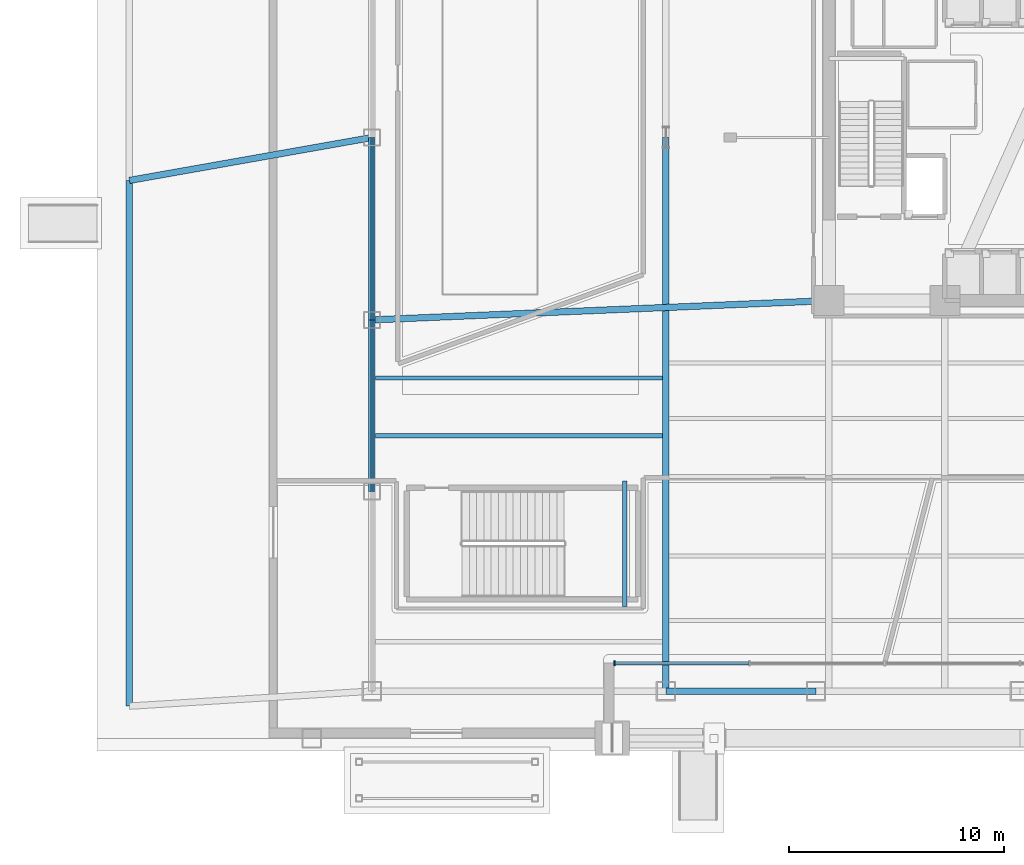
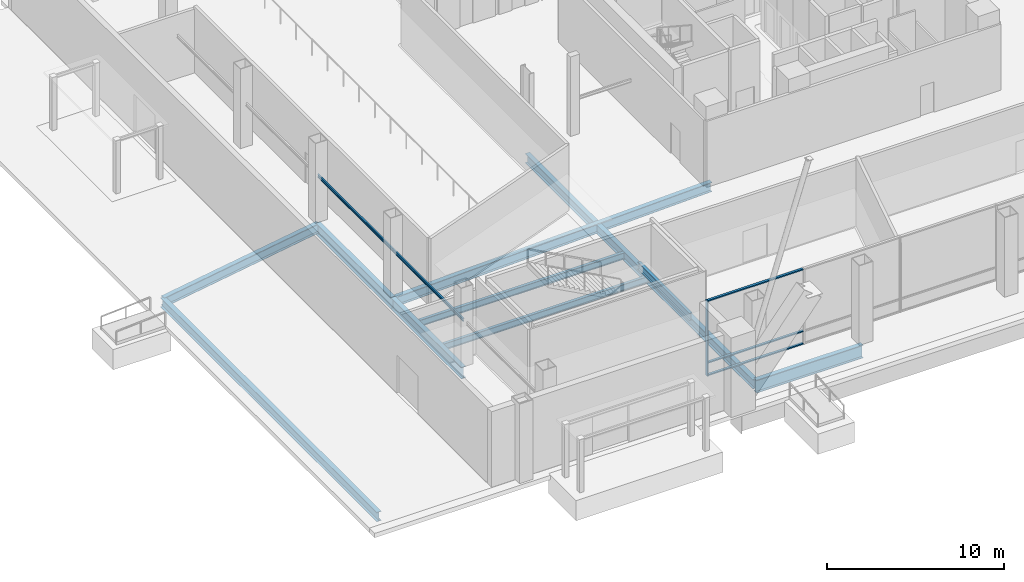
# One storey, part 8 of 27: 10 beams, 6 members, 1 element without a shape of its own.
"""IFC4 building model written with IfcOpenShell, lengths in metres."""

from ifc_helpers import new_model, si_unit, direction, frame, origin, origin_2d, place, context, subcontext, project, spatial, rectangle, i_section, extrude, material, layer, layer_set, material_profile, profile_set, type_object, element, aggregate, save


model = new_model("IFC4")

# Units and contexts
model_context = context("Model", 3, precision=1e-05, world=origin(), true_north=direction((0.0, 1.0)))
body_context = subcontext(model_context, "Body", "Model", "MODEL_VIEW")
ifc_project = project(units=[si_unit("LENGTHUNIT", "METRE"), si_unit("AREAUNIT", "SQUARE_METRE"), si_unit("VOLUMEUNIT", "CUBIC_METRE"), si_unit("PLANEANGLEUNIT", "RADIAN"), si_unit("MASSUNIT", "GRAM", prefix="KILO")], contexts=[model_context])

# Site, building, storey
site_placement = place(None, origin())
site = spatial("IfcSite", under=ifc_project, at=site_placement, CompositionType="ELEMENT")
building_placement = place(site_placement, origin())
building = spatial("IfcBuilding", under=site, at=building_placement, Name="Tharavind Bronze Gate", CompositionType="ELEMENT")
storey_placement = place(building_placement, origin())
storey = spatial("IfcBuildingStorey", under=building, at=storey_placement, Name="L00", CompositionType="ELEMENT", Elevation=0.0)

# Curtain wall, members
ifc_material_1 = material(Name="Anodised Bronze Aluminium", Category="aluminium")
ifc_layer = layer(ifc_material_1, 0.219970703125)
ifc_layer_set = layer_set([ifc_layer], Name="Anodised Bronze Aluminium")
curtain_wall_type = type_object("IfcCurtainWallType", Name="UNITISED CURTAIN WALL PODIUM", PredefinedType="USERDEFINED", material=ifc_layer_set)
curtain_wall_placement = place(storey_placement, origin())
curtain_wall = element("IfcCurtainWall", 1, at=curtain_wall_placement, inside=storey, type_object=curtain_wall_type, Name="L00 unitised curtain wall podium CW-L00-ARCH", ObjectType="UNITISED CURTAIN WALL", PredefinedType="USERDEFINED")
member_type_1 = type_object("IfcMemberType", Name="CURTAIN WALL MULLION 80X220", PredefinedType="MULLION", material=ifc_material_1)
member_1_placement = place(storey_placement, frame((-18.89990234375, -24.5, 0.0), z_axis=(0.0, 0.0, 1.0), x_axis=(1.0, 0.0, 0.0)))
member_1 = element("IfcMember", 2, at=member_1_placement, type_object=member_type_1, Name="CW-L00-ARCH mullion 1", PredefinedType="MULLION", context=body_context, shape_type="SweptSolid", body=[
    extrude(rectangle(XDim=0.080078125, YDim=0.219970703125, at=origin_2d()), origin(), (0.0, 0.0, 1.0), 5.219970703125),
])
member_type_2 = type_object("IfcMemberType", Name="CURTAIN WALL TRANSOM 80X160", PredefinedType="USERDEFINED", material=ifc_material_1)
member_2_placement = place(storey_placement, frame((-15.75, -24.5, 0.0), z_axis=(0.0, 0.0, 1.0), x_axis=(1.0, 0.0, 0.0)))
member_2 = element("IfcMember", 3, at=member_2_placement, type_object=member_type_2, Name="CW-L00-ARCH transom TB1", ObjectType="TRANSOM", PredefinedType="USERDEFINED", context=body_context, shape_type="SweptSolid", body=[
    extrude(rectangle(XDim=6.23193359375, YDim=0.159912109375, at=origin_2d()), origin(), (0.0, 0.0, 1.0), 0.080078125),
])
member_3_placement = place(storey_placement, frame((-15.75, -24.5, 0.85986328125), z_axis=(0.0, 0.0, 1.0), x_axis=(1.0, 0.0, 0.0)))
member_3 = element("IfcMember", 4, at=member_3_placement, type_object=member_type_2, Name="CW-L00-ARCH transom TS1", ObjectType="TRANSOM", PredefinedType="USERDEFINED", context=body_context, shape_type="SweptSolid", body=[
    extrude(rectangle(XDim=6.23193359375, YDim=0.159912109375, at=origin_2d()), origin(), (0.0, 0.0, 1.0), 0.080078125),
])
member_4_placement = place(storey_placement, frame((-15.75, -24.5, 5.139892578125), z_axis=(0.0, 0.0, 1.0), x_axis=(1.0, 0.0, 0.0)))
member_4 = element("IfcMember", 5, at=member_4_placement, type_object=member_type_2, Name="CW-L00-ARCH transom TT1", ObjectType="TRANSOM", PredefinedType="USERDEFINED", context=body_context, shape_type="SweptSolid", body=[
    extrude(rectangle(XDim=6.23193359375, YDim=0.159912109375, at=origin_2d()), origin(), (0.0, 0.0, 1.0), 0.080078125),
])
aggregate(curtain_wall, [member_1, member_2, member_3, member_4])

# Beams
ifc_material_2 = material(Name="Steel S355", Category="steel")
ifc_material_profile_1 = material_profile(ifc_material_2, i_section(OverallWidth=0.300048828125, OverallDepth=0.64990234375, WebThickness=0.01611328125, FlangeThickness=0.031005859375, at=origin_2d()), Name="HE650B")
ifc_profile_set_1 = profile_set([ifc_material_profile_1], Name="Steel S355")
beam_type_1 = type_object("IfcBeamType", Name="PRIMARY GIRDER HE650B", PredefinedType="USERDEFINED", material=ifc_profile_set_1)
beam_1_placement = place(storey_placement, frame((-41.5, -2.0, -0.625), z_axis=(0.984695836534, 0.17428169586, 0.0), x_axis=(-0.17428169586, 0.984695836534, 0.0)))
element("IfcBeam", 6, at=beam_1_placement, inside=storey, type_object=beam_type_1, Name="L00 primary girder he650b BM-L00-BWX33", ObjectType="GIRDER", PredefinedType="USERDEFINED", context=body_context, shape_type="SweptSolid", body=[
    extrude(i_section(OverallWidth=0.300048828125, OverallDepth=0.64990234375, WebThickness=0.01611328125, FlangeThickness=0.031005859375, at=origin_2d()), origin(), (0.0, 0.0, 1.0), 11.4755859375),
])
beam_2_placement = place(storey_placement, frame((-41.5, -26.5, -0.625), z_axis=(0.0, 1.0, 0.0), x_axis=(-1.0, 0.0, 0.0)))
element("IfcBeam", 7, at=beam_2_placement, inside=storey, type_object=beam_type_1, Name="L00 primary girder he650b BM-L00-BWS1", ObjectType="GIRDER", PredefinedType="USERDEFINED", context=body_context, shape_type="SweptSolid", body=[
    extrude(i_section(OverallWidth=0.300048828125, OverallDepth=0.64990234375, WebThickness=0.01611328125, FlangeThickness=0.031005859375, at=origin_2d()), origin(), (0.0, 0.0, 1.0), 24.5),
])
beam_3_placement = place(storey_placement, frame((-16.5, -25.800048828125, -0.625), z_axis=(0.0, 1.0, 0.0), x_axis=(-1.0, 0.0, 0.0)))
element("IfcBeam", 8, at=beam_3_placement, inside=storey, type_object=beam_type_1, Name="L00 primary girder he650b BM-L00-GS1S", ObjectType="GIRDER", PredefinedType="USERDEFINED", context=body_context, shape_type="SweptSolid", body=[
    extrude(i_section(OverallWidth=0.300048828125, OverallDepth=0.64990234375, WebThickness=0.01611328125, FlangeThickness=0.031005859375, at=origin_2d()), origin(), (0.0, 0.0, 1.0), 25.800048828125),
])
beam_4_placement = place(storey_placement, frame((-30.199951171875, -8.5, -0.625), z_axis=(0.999108710794, 0.04221118354, 0.0), x_axis=(-0.04221118354, 0.999108710794, 0.0)))
element("IfcBeam", 9, at=beam_4_placement, inside=storey, type_object=beam_type_1, Name="L00 primary girder he650b BM-L00-GW1", ObjectType="GIRDER", PredefinedType="USERDEFINED", context=body_context, shape_type="SweptSolid", body=[
    extrude(i_section(OverallWidth=0.300048828125, OverallDepth=0.64990234375, WebThickness=0.01611328125, FlangeThickness=0.031005859375, at=origin_2d()), origin(), (0.0, 0.0, 1.0), 21.319091796875),
])
ifc_material_profile_2 = material_profile(ifc_material_2, i_section(OverallWidth=0.199951171875, OverallDepth=0.5, WebThickness=0.01025390625, FlangeThickness=0.01611328125, at=origin_2d()), Name="IPE500")
ifc_profile_set_2 = profile_set([ifc_material_profile_2], Name="Steel S355")
beam_type_2 = type_object("IfcBeamType", Name="PRIMARY GIRDER IPE500", PredefinedType="USERDEFINED", material=ifc_profile_set_2)
beam_5_placement = place(storey_placement, frame((-18.419921875, -21.85009765625, 2.300048828125), z_axis=(0.0, 1.0, 0.0), x_axis=(-1.0, 0.0, 0.0)))
element("IfcBeam", 10, at=beam_5_placement, inside=storey, type_object=beam_type_2, Name="L00 primary girder ipe500 BM-LD-ST3-L00-1", ObjectType="GIRDER", PredefinedType="USERDEFINED", context=body_context, shape_type="SweptSolid", body=[
    extrude(i_section(OverallWidth=0.199951171875, OverallDepth=0.5, WebThickness=0.01025390625, FlangeThickness=0.01611328125, at=origin_2d()), origin(), (0.0, 0.0, 1.0), 5.85009765625),
])
ifc_material_profile_3 = material_profile(ifc_material_2, i_section(OverallWidth=0.300048828125, OverallDepth=0.800048828125, WebThickness=0.017578125, FlangeThickness=0.032958984375, at=origin_2d()), Name="HE800B")
ifc_profile_set_3 = profile_set([ifc_material_profile_3], Name="Steel S355")
beam_type_3 = type_object("IfcBeamType", Name="RING GIRDER HE800B", PredefinedType="USERDEFINED", material=ifc_profile_set_3)
beam_6_placement = place(storey_placement, frame((-30.199951171875, -16.5, -0.699951171875), z_axis=(0.0, 1.0, 0.0), x_axis=(-1.0, 0.0, 0.0)))
element("IfcBeam", 11, at=beam_6_placement, inside=storey, type_object=beam_type_3, Name="L00 ring girder he800b BM-L00-PW2", ObjectType="GIRDER", PredefinedType="USERDEFINED", context=body_context, shape_type="SweptSolid", body=[
    extrude(i_section(OverallWidth=0.300048828125, OverallDepth=0.800048828125, WebThickness=0.017578125, FlangeThickness=0.032958984375, at=origin_2d()), origin(), (0.0, 0.0, 1.0), 8.0),
])
beam_7_placement = place(storey_placement, frame((-30.199951171875, -8.5, -0.699951171875), z_axis=(0.0, 1.0, 0.0), x_axis=(-1.0, 0.0, 0.0)))
element("IfcBeam", 12, at=beam_7_placement, inside=storey, type_object=beam_type_3, Name="L00 ring girder he800b BM-L00-PW3", ObjectType="GIRDER", PredefinedType="USERDEFINED", context=body_context, shape_type="SweptSolid", body=[
    extrude(i_section(OverallWidth=0.300048828125, OverallDepth=0.800048828125, WebThickness=0.017578125, FlangeThickness=0.032958984375, at=origin_2d()), origin(), (0.0, 0.0, 1.0), 8.5),
])
ifc_material_profile_4 = material_profile(ifc_material_2, i_section(OverallWidth=0.18994140625, OverallDepth=0.449951171875, WebThickness=0.009521484375, FlangeThickness=0.0146484375, at=origin_2d()), Name="IPE450")
ifc_profile_set_4 = profile_set([ifc_material_profile_4], Name="Steel S355")
beam_type_4 = type_object("IfcBeamType", Name="SECONDARY FLOOR JOIST IPE450", PredefinedType="JOIST", material=ifc_profile_set_4)
for number, where, z_axis, x_axis, name in (
    (13, (-30.0400390625, -13.89990234375, -0.52490234375), (1.0, 0.0, 0.0), (0.0, 1.0, 0.0), "L00 secondary floor joist ipe450 BM-L00-JSWW2"),
    (14, (-30.0400390625, -11.199951171875, -0.52490234375), (1.0, 0.0, 0.0), (0.0, 1.0, 0.0), "L00 secondary floor joist ipe450 BM-L00-JSWW3"),
):
    element("IfcBeam", number, at=place(storey_placement, frame(where, z_axis=z_axis, x_axis=x_axis)), inside=storey, type_object=beam_type_4, Name=name, PredefinedType="JOIST", context=body_context, shape_type="SweptSolid", body=[
        extrude(i_section(OverallWidth=0.18994140625, OverallDepth=0.449951171875, WebThickness=0.009521484375, FlangeThickness=0.0146484375, at=origin_2d()), origin(), (0.0, 0.0, 1.0), 13.387939453125),
    ])

# Members
ifc_material_profile_5 = material_profile(ifc_material_1, i_section(OverallWidth=0.10009765625, OverallDepth=0.199951171875, WebThickness=0.005615234375, FlangeThickness=0.008544921875, at=origin_2d()), Name="IPE200")
ifc_profile_set_5 = profile_set([ifc_material_profile_5], Name="Anodised Bronze Aluminium")
member_type_3 = type_object("IfcMemberType", Name="SOLAR LOUVRE BLADE", PredefinedType="USERDEFINED", material=ifc_profile_set_5)
member_5_placement = place(storey_placement, frame((-30.199951171875, -16.5, 2.949951171875), z_axis=(0.0, 1.0, 0.0), x_axis=(-1.0, 0.0, 0.0)))
element("IfcMember", 15, at=member_5_placement, inside=storey, type_object=member_type_3, Name="L00 west gallery solar louvre 2", ObjectType="SOLAR LOUVRE", PredefinedType="USERDEFINED", context=body_context, shape_type="SweptSolid", body=[
    extrude(i_section(OverallWidth=0.10009765625, OverallDepth=0.199951171875, WebThickness=0.005615234375, FlangeThickness=0.008544921875, at=origin_2d()), origin(), (0.0, 0.0, 1.0), 8.0),
])
member_6_placement = place(storey_placement, frame((-30.199951171875, -8.5, 2.949951171875), z_axis=(0.0, 1.0, 0.0), x_axis=(-1.0, 0.0, 0.0)))
element("IfcMember", 16, at=member_6_placement, inside=storey, type_object=member_type_3, Name="L00 west gallery solar louvre 3", ObjectType="SOLAR LOUVRE", PredefinedType="USERDEFINED", context=body_context, shape_type="SweptSolid", body=[
    extrude(i_section(OverallWidth=0.10009765625, OverallDepth=0.199951171875, WebThickness=0.005615234375, FlangeThickness=0.008544921875, at=origin_2d()), origin(), (0.0, 0.0, 1.0), 8.5),
])

# Beam
ifc_material_profile_6 = material_profile(ifc_material_2, i_section(OverallWidth=0.300048828125, OverallDepth=0.89990234375, WebThickness=0.0185546875, FlangeThickness=0.034912109375, at=origin_2d()), Name="HE900B")
ifc_profile_set_6 = profile_set([ifc_material_profile_6], Name="Steel S355")
beam_type_5 = type_object("IfcBeamType", Name="SPANDREL RING BEAM HE900B", PredefinedType="SPANDREL", material=ifc_profile_set_6)
beam_8_placement = place(storey_placement, frame((-16.5, -25.800048828125, -0.75), z_axis=(1.0, 0.0, 0.0), x_axis=(0.0, 1.0, 0.0)))
element("IfcBeam", 17, at=beam_8_placement, inside=storey, type_object=beam_type_5, Name="L00 spandrel ring beam he900b BM-L00-PS2", PredefinedType="SPANDREL", context=body_context, shape_type="SweptSolid", body=[
    extrude(i_section(OverallWidth=0.300048828125, OverallDepth=0.89990234375, WebThickness=0.0185546875, FlangeThickness=0.034912109375, at=origin_2d()), origin(), (0.0, 0.0, 1.0), 7.0),
])

save(model, "model.ifc")
